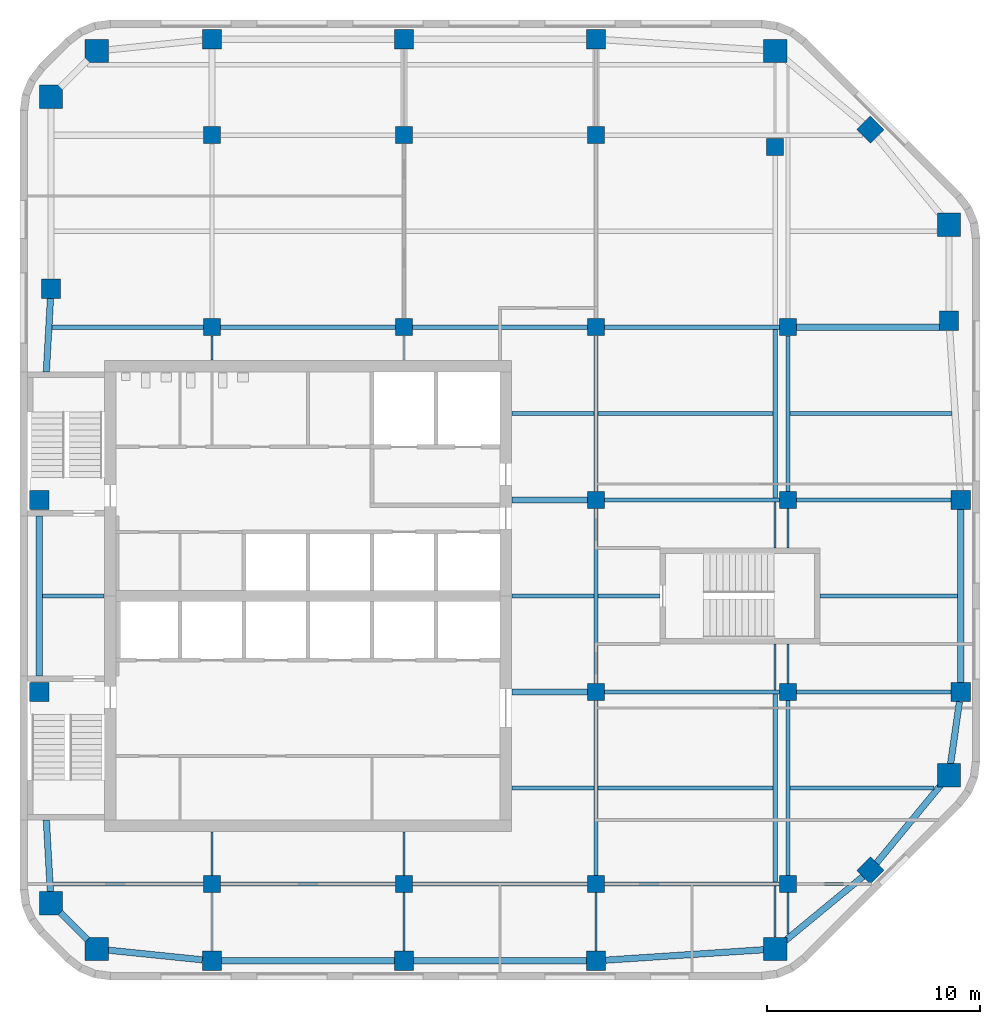
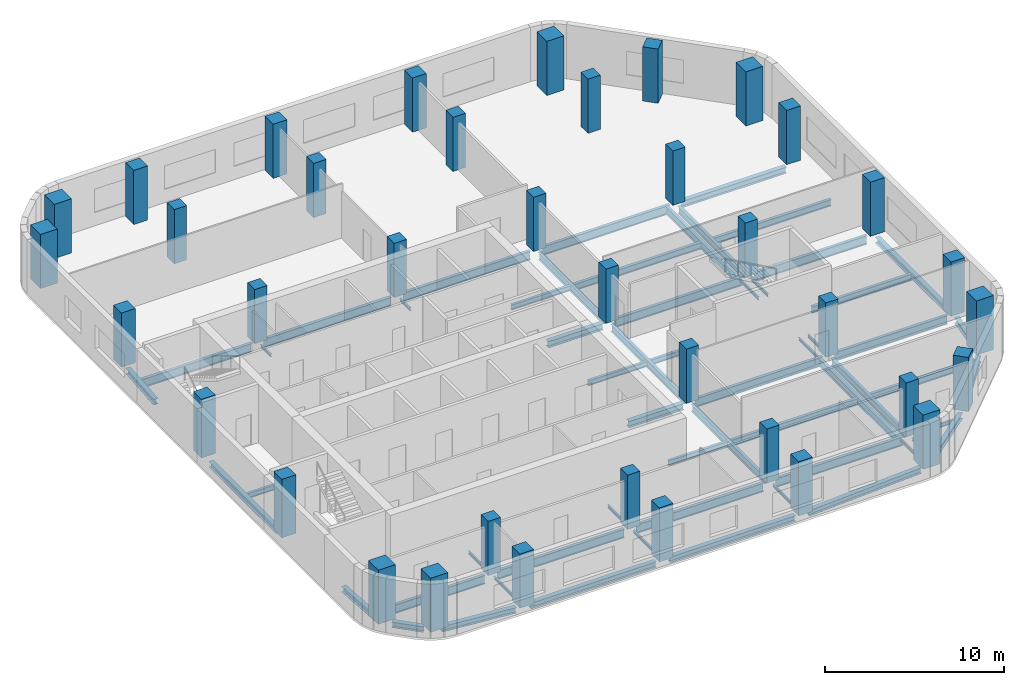
# One storey, part 1 of 8: 58 beams, 38 columns.
"""IFC4 building model written with IfcOpenShell, lengths in metres."""

from ifc_helpers import new_model, si_unit, direction, frame, origin, origin_2d, place, context, subcontext, project, spatial, rectangle, i_section, extrude, material, material_profile, profile_set, type_object, element, save


model = new_model("IFC4")

# Units and contexts
model_context = context("Model", 3, precision=1e-05, world=origin(), true_north=direction((0.0, 1.0)))
body_context = subcontext(model_context, "Body", "Model", "MODEL_VIEW")
ifc_project = project(units=[si_unit("LENGTHUNIT", "METRE"), si_unit("AREAUNIT", "SQUARE_METRE"), si_unit("VOLUMEUNIT", "CUBIC_METRE"), si_unit("PLANEANGLEUNIT", "RADIAN"), si_unit("MASSUNIT", "GRAM", prefix="KILO")], contexts=[model_context])

# Site, building, storey
site_placement = place(None, origin())
site = spatial("IfcSite", under=ifc_project, at=site_placement, CompositionType="ELEMENT")
building_placement = place(site_placement, origin())
building = spatial("IfcBuilding", under=site, at=building_placement, Name="Cinnabar Reach Civic Tower", CompositionType="ELEMENT")
storey_placement = place(building_placement, frame((0.0, 0.0, 238.0)))
storey = spatial("IfcBuildingStorey", under=building, at=storey_placement, Name="L57", CompositionType="ELEMENT", Elevation=238.0)

# Columns
ifc_material_1 = material(Name="Concrete C80", Category="concrete")
ifc_material_profile_1 = material_profile(ifc_material_1, rectangle(XDim=1.1, YDim=1.1, at=origin_2d()), Name="RC1100")
ifc_profile_set_1 = profile_set([ifc_material_profile_1], Name="Concrete C80")
column_type_1 = type_object("IfcColumnType", Name="RC1100 column R 240", PredefinedType="COLUMN", material=ifc_profile_set_1)
for number, where, z_axis, x_axis, name in (
    (1, (3.6019, 14.9531, 0.0), (0.0, 0.0, 1.0), (1.0, 0.0, 0.0), "Column T1-Z4-CC0"),
    (2, (35.3981, 14.9531, 0.0), (0.0, 0.0, 1.0), (1.0, 0.0, 0.0), "Column T1-Z4-CC1"),
    (3, (43.5469, 23.1019, 0.0), (0.0, 0.0, 1.0), (1.0, 0.0, 0.0), "Column T1-Z4-CC2"),
    (4, (43.5469, 48.8981, 0.0), (0.0, 0.0, 1.0), (1.0, 0.0, 0.0), "Column T1-Z4-CC3"),
    (5, (35.3981, 57.0469, 0.0), (0.0, 0.0, 1.0), (1.0, 0.0, 0.0), "Column T1-Z4-CC4"),
    (6, (3.6019, 57.0469, 0.0), (0.0, 0.0, 1.0), (1.0, 0.0, 0.0), "Column T1-Z4-CC5"),
    (7, (1.4531, 54.8981, 0.0), (0.0, 0.0, 1.0), (1.0, 0.0, 0.0), "Column T1-Z4-CC6"),
    (8, (1.4531, 17.1019, 0.0), (0.0, 0.0, 1.0), (1.0, 0.0, 0.0), "Column T1-Z4-CC7"),
):
    element("IfcColumn", number, at=place(storey_placement, frame(where, z_axis=z_axis, x_axis=x_axis)), inside=storey, type_object=column_type_1, Name=name, PredefinedType="COLUMN", context=body_context, shape_type="SweptSolid", body=[
        extrude(rectangle(XDim=1.1, YDim=1.1, at=origin_2d()), origin(), (0.0, 0.0, 1.0), 3.7),
    ])
ifc_material_2 = material(Name="Concrete C60", Category="concrete")
ifc_material_profile_2 = material_profile(ifc_material_2, rectangle(XDim=0.8, YDim=0.8, at=origin_2d()), Name="RC800")
ifc_profile_set_2 = profile_set([ifc_material_profile_2], Name="Concrete C60")
column_type_2 = type_object("IfcColumnType", Name="RC800 column R 240", PredefinedType="COLUMN", material=ifc_profile_set_2)
for number, where, z_axis, x_axis, name in (
    (9, (9.0, 18.0, 0.0), (0.0, 0.0, 1.0), (1.0, 0.0, 0.0), "Column T1-Z4-I9_18"),
    (10, (9.0, 44.1, 0.0), (0.0, 0.0, 1.0), (1.0, 0.0, 0.0), "Column T1-Z4-I9_45"),
    (11, (9.0, 53.1, 0.0), (0.0, 0.0, 1.0), (1.0, 0.0, 0.0), "Column T1-Z4-I9_54"),
    (12, (18.0, 18.0, 0.0), (0.0, 0.0, 1.0), (1.0, 0.0, 0.0), "Column T1-Z4-I18_18"),
    (13, (18.0, 44.1, 0.0), (0.0, 0.0, 1.0), (1.0, 0.0, 0.0), "Column T1-Z4-I18_45"),
    (14, (18.0, 53.1, 0.0), (0.0, 0.0, 1.0), (1.0, 0.0, 0.0), "Column T1-Z4-I18_54"),
    (15, (27.0, 18.0, 0.0), (0.0, 0.0, 1.0), (1.0, 0.0, 0.0), "Column T1-Z4-I27_18"),
    (16, (27.0, 27.0, 0.0), (0.0, 0.0, 1.0), (1.0, 0.0, 0.0), "Column T1-Z4-I27_27"),
    (17, (27.0, 36.0, 0.0), (0.0, 0.0, 1.0), (1.0, 0.0, 0.0), "Column T1-Z4-I27_36"),
    (18, (27.0, 44.1, 0.0), (0.0, 0.0, 1.0), (1.0, 0.0, 0.0), "Column T1-Z4-I27_45"),
    (19, (27.0, 53.1, 0.0), (0.0, 0.0, 1.0), (1.0, 0.0, 0.0), "Column T1-Z4-I27_54"),
    (20, (36.0, 18.0, 0.0), (0.0, 0.0, 1.0), (1.0, 0.0, 0.0), "Column T1-Z4-I36_18"),
    (21, (36.0, 27.0, 0.0), (0.0, 0.0, 1.0), (1.0, 0.0, 0.0), "Column T1-Z4-I36_27"),
    (22, (36.0, 36.0, 0.0), (0.0, 0.0, 1.0), (1.0, 0.0, 0.0), "Column T1-Z4-I36_36"),
    (23, (36.0, 44.1, 0.0), (0.0, 0.0, 1.0), (1.0, 0.0, 0.0), "Column T1-Z4-I36_45"),
    (24, (35.3981, 52.5469, 0.0), (0.0, 0.0, 1.0), (1.0, 0.0, 0.0), "Column T1-Z4-I36_54"),
):
    element("IfcColumn", number, at=place(storey_placement, frame(where, z_axis=z_axis, x_axis=x_axis)), inside=storey, type_object=column_type_2, Name=name, PredefinedType="COLUMN", context=body_context, shape_type="SweptSolid", body=[
        extrude(rectangle(XDim=0.8, YDim=0.8, at=origin_2d()), origin(), (0.0, 0.0, 1.0), 3.7),
    ])
ifc_material_3 = material(Name="Concrete C70", Category="concrete")
ifc_material_profile_3 = material_profile(ifc_material_3, rectangle(XDim=0.9, YDim=0.9, at=origin_2d()), Name="RC900")
ifc_profile_set_3 = profile_set([ifc_material_profile_3], Name="Concrete C70")
column_type_3 = type_object("IfcColumnType", Name="RC900 column R 240", PredefinedType="COLUMN", material=ifc_profile_set_3)
for number, where, z_axis, x_axis, name in (
    (25, (9.0, 14.4, 0.0), (0.0, 0.0, 1.0), (1.0, 0.0, 0.0), "Column T1-Z4-F0-1"),
    (26, (18.0, 14.4, 0.0), (0.0, 0.0, 1.0), (1.0, 0.0, 0.0), "Column T1-Z4-F0-2"),
    (27, (27.0, 14.4, 0.0), (0.0, 0.0, 1.0), (1.0, 0.0, 0.0), "Column T1-Z4-F0-3"),
    (28, (39.8636, 18.6364, 0.0), (0.0, 0.0, 1.0), (0.707106781187, 0.707106781187, 0.0), "Column T1-Z4-F1-M"),
    (29, (44.1, 27.0, 0.0), (0.0, 0.0, 1.0), (1.0, 0.0, 0.0), "Column T1-Z4-F2-3"),
    (30, (44.1, 36.0, 0.0), (0.0, 0.0, 1.0), (1.0, 0.0, 0.0), "Column T1-Z4-F2-4"),
    (31, (43.5469, 44.3981, 0.0), (0.0, 0.0, 1.0), (1.0, 0.0, 0.0), "Column T1-Z4-F2-5"),
    (32, (39.8636, 53.3636, 0.0), (0.0, 0.0, 1.0), (0.707106781187, 0.707106781187, 0.0), "Column T1-Z4-F3-M"),
    (33, (9.0, 57.6, 0.0), (0.0, 0.0, 1.0), (1.0, 0.0, 0.0), "Column T1-Z4-F4-1"),
    (34, (18.0, 57.6, 0.0), (0.0, 0.0, 1.0), (1.0, 0.0, 0.0), "Column T1-Z4-F4-2"),
    (35, (27.0, 57.6, 0.0), (0.0, 0.0, 1.0), (1.0, 0.0, 0.0), "Column T1-Z4-F4-3"),
):
    element("IfcColumn", number, at=place(storey_placement, frame(where, z_axis=z_axis, x_axis=x_axis)), inside=storey, type_object=column_type_3, Name=name, PredefinedType="COLUMN", context=body_context, shape_type="SweptSolid", body=[
        extrude(rectangle(XDim=0.9, YDim=0.9, at=origin_2d()), origin(), (0.0, 0.0, 1.0), 3.7),
    ])
for number, where, z_axis, x_axis, name in (
    (36, (0.9, 27.0, 0.0), (0.0, 0.0, 1.0), (1.0, 0.0, 0.0), "Column T1-Z4-F6-3"),
    (37, (0.9, 36.0, 0.0), (0.0, 0.0, 1.0), (1.0, 0.0, 0.0), "Column T1-Z4-F6-4"),
):
    element("IfcColumn", number, at=place(storey_placement, frame(where, z_axis=z_axis, x_axis=x_axis)), inside=storey, type_object=column_type_3, Name=name, PredefinedType="COLUMN", context=body_context, shape_type="SweptSolid", body=[
        extrude(rectangle(XDim=0.9, YDim=0.9, at=origin_2d()), origin(), (0.0, 0.0, 1.0), 4.0),
    ])
column_placement = place(storey_placement, frame((1.4531, 45.8981, 0.0), z_axis=(0.0, 0.0, 1.0), x_axis=(1.0, 0.0, 0.0)))
element("IfcColumn", 38, at=column_placement, inside=storey, type_object=column_type_3, Name="Column T1-Z4-F6-5", PredefinedType="COLUMN", context=body_context, shape_type="SweptSolid", body=[
    extrude(rectangle(XDim=0.9, YDim=0.9, at=origin_2d()), origin(), (0.0, 0.0, 1.0), 3.7),
])

# Beams
ifc_material_4 = material(Name="Steel Q355B", Category="steel")
ifc_material_profile_4 = material_profile(ifc_material_4, i_section(OverallWidth=0.3, OverallDepth=0.39, WebThickness=0.01, FlangeThickness=0.016, FilletRadius=0.013, at=origin_2d()), Name="HM390x300x10x16")
ifc_profile_set_4 = profile_set([ifc_material_profile_4], Name="Steel Q355B")
beam_type_1 = type_object("IfcBeamType", Name="HM390x300x10x16 beam R 180", PredefinedType="BEAM", material=ifc_profile_set_4)
beam_1_placement = place(storey_placement, frame((4.0339, 14.9088, -0.345), z_axis=(0.994792272495, -0.101923179821, 0.0), x_axis=(0.101923179821, 0.994792272495, 0.0)))
element("IfcBeam", 39, at=beam_1_placement, inside=storey, type_object=beam_type_1, Name="Edge beam T1 L57 1", PredefinedType="BEAM", context=body_context, shape_type="SweptSolid", body=[
    extrude(i_section(OverallWidth=0.3, OverallDepth=0.39, WebThickness=0.01, FlangeThickness=0.016, FilletRadius=0.013, at=origin_2d()), origin(), (0.0, 0.0, 1.0), 4.5377),
])
for number, where, z_axis, x_axis, name in (
    (40, (9.452, 14.4, -0.345), (1.0, 0.0, 0.0), (0.0, 1.0, 0.0), "Edge beam T1 L57 2"),
    (41, (18.452, 14.4, -0.345), (1.0, 0.0, 0.0), (0.0, 1.0, 0.0), "Edge beam T1 L57 3"),
):
    element("IfcBeam", number, at=place(storey_placement, frame(where, z_axis=z_axis, x_axis=x_axis)), inside=storey, type_object=beam_type_1, Name=name, PredefinedType="BEAM", context=body_context, shape_type="SweptSolid", body=[
        extrude(i_section(OverallWidth=0.3, OverallDepth=0.39, WebThickness=0.01, FlangeThickness=0.016, FilletRadius=0.013, at=origin_2d()), origin(), (0.0, 0.0, 1.0), 8.096),
    ])
beam_2_placement = place(storey_placement, frame((27.452, 14.4298, -0.345), z_axis=(0.99783894477, 0.065707231721, 0.0), x_axis=(-0.065707231721, 0.99783894477, 0.0)))
element("IfcBeam", 42, at=beam_2_placement, inside=storey, type_object=beam_type_1, Name="Edge beam T1 L57 4", PredefinedType="BEAM", context=body_context, shape_type="SweptSolid", body=[
    extrude(i_section(OverallWidth=0.3, OverallDepth=0.39, WebThickness=0.01, FlangeThickness=0.016, FilletRadius=0.013, at=origin_2d()), origin(), (0.0, 0.0, 1.0), 7.5304),
])
for number, where, z_axis, x_axis, name in (
    (43, (35.8301, 15.3094, -0.345), (0.771434448755, 0.63630880182, 0.0), (-0.63630880182, 0.771434448755, 0.0), "Edge beam T1 L57 5"),
    (44, (40.1142, 18.9402, -0.345), (0.63630880182, 0.771434448755, 0.0), (-0.771434448755, 0.63630880182, 0.0), "Edge beam T1 L57 6"),
):
    element("IfcBeam", number, at=place(storey_placement, frame(where, z_axis=z_axis, x_axis=x_axis)), inside=storey, type_object=beam_type_1, Name=name, PredefinedType="BEAM", context=body_context, shape_type="SweptSolid", body=[
        extrude(i_section(OverallWidth=0.3, OverallDepth=0.39, WebThickness=0.01, FlangeThickness=0.016, FilletRadius=0.013, at=origin_2d()), origin(), (0.0, 0.0, 1.0), 4.8348),
    ])
beam_3_placement = place(storey_placement, frame((43.6082, 23.5339, -0.345), z_axis=(0.140492342965, 0.990081765092, 0.0), x_axis=(-0.990081765092, 0.140492342965, 0.0)))
element("IfcBeam", 45, at=beam_3_placement, inside=storey, type_object=beam_type_1, Name="Edge beam T1 L57 7", PredefinedType="BEAM", context=body_context, shape_type="SweptSolid", body=[
    extrude(i_section(OverallWidth=0.3, OverallDepth=0.39, WebThickness=0.01, FlangeThickness=0.016, FilletRadius=0.013, at=origin_2d()), origin(), (0.0, 0.0, 1.0), 3.0443),
])
beam_4_placement = place(storey_placement, frame((44.1, 27.452, -0.345), z_axis=(0.0, 1.0, 0.0), x_axis=(-1.0, 0.0, 0.0)))
element("IfcBeam", 46, at=beam_4_placement, inside=storey, type_object=beam_type_1, Name="Edge beam T1 L57 8", PredefinedType="BEAM", context=body_context, shape_type="SweptSolid", body=[
    extrude(i_section(OverallWidth=0.3, OverallDepth=0.39, WebThickness=0.01, FlangeThickness=0.016, FilletRadius=0.013, at=origin_2d()), origin(), (0.0, 0.0, 1.0), 8.096),
])
beam_5_placement = place(storey_placement, frame((1.4278, 45.4461, -0.345), z_axis=(-0.0557766862, -0.998443268932, 0.0), x_axis=(0.998443268932, -0.0557766862, 0.0)))
element("IfcBeam", 47, at=beam_5_placement, inside=storey, type_object=beam_type_1, Name="Edge beam T1 L57 19", PredefinedType="BEAM", context=body_context, shape_type="SweptSolid", body=[
    extrude(i_section(OverallWidth=0.3, OverallDepth=0.39, WebThickness=0.01, FlangeThickness=0.016, FilletRadius=0.013, at=origin_2d()), origin(), (0.0, 0.0, 1.0), 3.4495),
])
beam_6_placement = place(storey_placement, frame((0.9, 35.248, -0.345), z_axis=(0.0, -1.0, 0.0), x_axis=(1.0, 0.0, 0.0)))
element("IfcBeam", 48, at=beam_6_placement, inside=storey, type_object=beam_type_1, Name="Edge beam T1 L57 20", PredefinedType="BEAM", context=body_context, shape_type="SweptSolid", body=[
    extrude(i_section(OverallWidth=0.3, OverallDepth=0.39, WebThickness=0.01, FlangeThickness=0.016, FilletRadius=0.013, at=origin_2d()), origin(), (0.0, 0.0, 1.0), 7.496),
])
beam_7_placement = place(storey_placement, frame((1.2354, 20.998, -0.345), z_axis=(0.05580045603, -0.998441940779, 0.0), x_axis=(0.998441940779, 0.05580045603, 0.0)))
element("IfcBeam", 49, at=beam_7_placement, inside=storey, type_object=beam_type_1, Name="Edge beam T1 L57 21", PredefinedType="BEAM", context=body_context, shape_type="SweptSolid", body=[
    extrude(i_section(OverallWidth=0.3, OverallDepth=0.39, WebThickness=0.01, FlangeThickness=0.016, FilletRadius=0.013, at=origin_2d()), origin(), (0.0, 0.0, 1.0), 3.4695),
])
beam_8_placement = place(storey_placement, frame((1.8851, 16.6699, -0.345), z_axis=(0.707106781187, -0.707106781187, 0.0), x_axis=(0.707106781187, 0.707106781187, 0.0)))
element("IfcBeam", 50, at=beam_8_placement, inside=storey, type_object=beam_type_1, Name="Edge beam T1 L57 22", PredefinedType="BEAM", context=body_context, shape_type="SweptSolid", body=[
    extrude(i_section(OverallWidth=0.3, OverallDepth=0.39, WebThickness=0.01, FlangeThickness=0.016, FilletRadius=0.013, at=origin_2d()), origin(), (0.0, 0.0, 1.0), 1.817),
])
ifc_material_profile_5 = material_profile(ifc_material_4, i_section(OverallWidth=0.3, OverallDepth=0.44, WebThickness=0.011, FlangeThickness=0.018, FilletRadius=0.016, at=origin_2d()), Name="HM440x300x11x18")
ifc_profile_set_5 = profile_set([ifc_material_profile_5], Name="Steel Q355B")
beam_type_2 = type_object("IfcBeamType", Name="HM440x300x11x18 beam R 180", PredefinedType="BEAM", material=ifc_profile_set_5)
for number, where, z_axis, x_axis, name in (
    (51, (23.052, 27.0, -0.37), (1.0, 0.0, 0.0), (0.0, 1.0, 0.0), "Girder T1 L57 6"),
    (52, (23.052, 36.0, -0.37), (1.0, 0.0, 0.0), (0.0, 1.0, 0.0), "Girder T1 L57 9"),
):
    element("IfcBeam", number, at=place(storey_placement, frame(where, z_axis=z_axis, x_axis=x_axis)), inside=storey, type_object=beam_type_2, Name=name, PredefinedType="BEAM", context=body_context, shape_type="SweptSolid", body=[
        extrude(i_section(OverallWidth=0.3, OverallDepth=0.44, WebThickness=0.011, FlangeThickness=0.018, FilletRadius=0.016, at=origin_2d()), origin(), (0.0, 0.0, 1.0), 3.546),
    ])
beam_9_placement = place(storey_placement, frame((36.402, 44.1, -0.37), z_axis=(1.0, 0.0, 0.0), x_axis=(0.0, 1.0, 0.0)))
element("IfcBeam", 53, at=beam_9_placement, inside=storey, type_object=beam_type_2, Name="Girder T1 L57 16", PredefinedType="BEAM", context=body_context, shape_type="SweptSolid", body=[
    extrude(i_section(OverallWidth=0.3, OverallDepth=0.44, WebThickness=0.011, FlangeThickness=0.018, FilletRadius=0.016, at=origin_2d()), origin(), (0.0, 0.0, 1.0), 6.6929),
])
ifc_material_profile_6 = material_profile(ifc_material_4, i_section(OverallWidth=0.099, OverallDepth=0.198, WebThickness=0.0045, FlangeThickness=0.007, FilletRadius=0.013, at=origin_2d()), Name="HN200x100x5.5x8")
ifc_profile_set_6 = profile_set([ifc_material_profile_6], Name="Steel Q355B")
beam_type_3 = type_object("IfcBeamType", Name="HN200x100x5.5x8 beam R 180", PredefinedType="BEAM", material=ifc_profile_set_6)
beam_10_placement = place(storey_placement, frame((9.0, 14.852, -0.249), z_axis=(0.0, 1.0, 0.0), x_axis=(-1.0, 0.0, 0.0)))
element("IfcBeam", 54, at=beam_10_placement, inside=storey, type_object=beam_type_3, Name="Girder T1 L57 1", PredefinedType="BEAM", context=body_context, shape_type="SweptSolid", body=[
    extrude(i_section(OverallWidth=0.099, OverallDepth=0.198, WebThickness=0.0045, FlangeThickness=0.007, FilletRadius=0.013, at=origin_2d()), origin(), (0.0, 0.0, 1.0), 2.746),
])
beam_11_placement = place(storey_placement, frame((9.0, 18.402, -0.249), z_axis=(0.0, 1.0, 0.0), x_axis=(-1.0, 0.0, 0.0)))
element("IfcBeam", 55, at=beam_11_placement, inside=storey, type_object=beam_type_3, Name="Girder T1 L57 2", PredefinedType="BEAM", context=body_context, shape_type="SweptSolid", body=[
    extrude(i_section(OverallWidth=0.099, OverallDepth=0.198, WebThickness=0.0045, FlangeThickness=0.007, FilletRadius=0.013, at=origin_2d()), origin(), (0.0, 0.0, 1.0), 2.046),
])
beam_12_placement = place(storey_placement, frame((9.0, 42.552, -0.249), z_axis=(0.0, 1.0, 0.0), x_axis=(-1.0, 0.0, 0.0)))
element("IfcBeam", 56, at=beam_12_placement, inside=storey, type_object=beam_type_3, Name="Girder T1 L57 3", PredefinedType="BEAM", context=body_context, shape_type="SweptSolid", body=[
    extrude(i_section(OverallWidth=0.099, OverallDepth=0.198, WebThickness=0.0045, FlangeThickness=0.007, FilletRadius=0.013, at=origin_2d()), origin(), (0.0, 0.0, 1.0), 1.146),
])
beam_13_placement = place(storey_placement, frame((18.0, 14.852, -0.249), z_axis=(0.0, 1.0, 0.0), x_axis=(-1.0, 0.0, 0.0)))
element("IfcBeam", 57, at=beam_13_placement, inside=storey, type_object=beam_type_3, Name="Girder T1 L57 6", PredefinedType="BEAM", context=body_context, shape_type="SweptSolid", body=[
    extrude(i_section(OverallWidth=0.099, OverallDepth=0.198, WebThickness=0.0045, FlangeThickness=0.007, FilletRadius=0.013, at=origin_2d()), origin(), (0.0, 0.0, 1.0), 2.746),
])
beam_14_placement = place(storey_placement, frame((18.0, 18.402, -0.249), z_axis=(0.0, 1.0, 0.0), x_axis=(-1.0, 0.0, 0.0)))
element("IfcBeam", 58, at=beam_14_placement, inside=storey, type_object=beam_type_3, Name="Girder T1 L57 7", PredefinedType="BEAM", context=body_context, shape_type="SweptSolid", body=[
    extrude(i_section(OverallWidth=0.099, OverallDepth=0.198, WebThickness=0.0045, FlangeThickness=0.007, FilletRadius=0.013, at=origin_2d()), origin(), (0.0, 0.0, 1.0), 2.046),
])
beam_15_placement = place(storey_placement, frame((18.0, 42.552, -0.249), z_axis=(0.0, 1.0, 0.0), x_axis=(-1.0, 0.0, 0.0)))
element("IfcBeam", 59, at=beam_15_placement, inside=storey, type_object=beam_type_3, Name="Girder T1 L57 8", PredefinedType="BEAM", context=body_context, shape_type="SweptSolid", body=[
    extrude(i_section(OverallWidth=0.099, OverallDepth=0.198, WebThickness=0.0045, FlangeThickness=0.007, FilletRadius=0.013, at=origin_2d()), origin(), (0.0, 0.0, 1.0), 1.146),
])
beam_16_placement = place(storey_placement, frame((27.0, 14.852, -0.249), z_axis=(0.0, 1.0, 0.0), x_axis=(-1.0, 0.0, 0.0)))
element("IfcBeam", 60, at=beam_16_placement, inside=storey, type_object=beam_type_3, Name="Girder T1 L57 11", PredefinedType="BEAM", context=body_context, shape_type="SweptSolid", body=[
    extrude(i_section(OverallWidth=0.099, OverallDepth=0.198, WebThickness=0.0045, FlangeThickness=0.007, FilletRadius=0.013, at=origin_2d()), origin(), (0.0, 0.0, 1.0), 2.746),
])
beam_17_placement = place(storey_placement, frame((35.3981, 15.5051, -0.249), z_axis=(0.0, 1.0, 0.0), x_axis=(-1.0, 0.0, 0.0)))
element("IfcBeam", 61, at=beam_17_placement, inside=storey, type_object=beam_type_3, Name="Girder T1 L57 17", PredefinedType="BEAM", context=body_context, shape_type="SweptSolid", body=[
    extrude(i_section(OverallWidth=0.099, OverallDepth=0.198, WebThickness=0.0045, FlangeThickness=0.007, FilletRadius=0.013, at=origin_2d()), origin(), (0.0, 0.0, 1.0), 2.3934),
])
for number, where, z_axis, x_axis, name in (
    (62, (35.3981, 27.1015, -0.249), (0.0, 1.0, 0.0), (-1.0, 0.0, 0.0), "Girder T1 L57 19"),
    (63, (35.3981, 33.752, -0.249), (0.0, 1.0, 0.0), (-1.0, 0.0, 0.0), "Girder T1 L57 20"),
):
    element("IfcBeam", number, at=place(storey_placement, frame(where, z_axis=z_axis, x_axis=x_axis)), inside=storey, type_object=beam_type_3, Name=name, PredefinedType="BEAM", context=body_context, shape_type="SweptSolid", body=[
        extrude(i_section(OverallWidth=0.099, OverallDepth=0.198, WebThickness=0.0045, FlangeThickness=0.007, FilletRadius=0.013, at=origin_2d()), origin(), (0.0, 0.0, 1.0), 2.1465),
    ])
beam_18_placement = place(storey_placement, frame((36.0, 15.6466, -0.249), z_axis=(0.0, 1.0, 0.0), x_axis=(-1.0, 0.0, 0.0)))
element("IfcBeam", 64, at=beam_18_placement, inside=storey, type_object=beam_type_3, Name="Girder T1 L57 24", PredefinedType="BEAM", context=body_context, shape_type="SweptSolid", body=[
    extrude(i_section(OverallWidth=0.099, OverallDepth=0.198, WebThickness=0.0045, FlangeThickness=0.007, FilletRadius=0.013, at=origin_2d()), origin(), (0.0, 0.0, 1.0), 1.9514),
])
for number, where, z_axis, x_axis, name in (
    (65, (36.0, 27.402, -0.249), (0.0, 1.0, 0.0), (-1.0, 0.0, 0.0), "Girder T1 L57 26"),
    (66, (36.0, 33.752, -0.249), (0.0, 1.0, 0.0), (-1.0, 0.0, 0.0), "Girder T1 L57 27"),
):
    element("IfcBeam", number, at=place(storey_placement, frame(where, z_axis=z_axis, x_axis=x_axis)), inside=storey, type_object=beam_type_3, Name=name, PredefinedType="BEAM", context=body_context, shape_type="SweptSolid", body=[
        extrude(i_section(OverallWidth=0.099, OverallDepth=0.198, WebThickness=0.0045, FlangeThickness=0.007, FilletRadius=0.013, at=origin_2d()), origin(), (0.0, 0.0, 1.0), 1.846),
    ])
ifc_material_profile_7 = material_profile(ifc_material_4, i_section(OverallWidth=0.124, OverallDepth=0.248, WebThickness=0.005, FlangeThickness=0.008, FilletRadius=0.013, at=origin_2d()), Name="HN250x125x6x9")
ifc_profile_set_7 = profile_set([ifc_material_profile_7], Name="Steel Q355B")
beam_type_4 = type_object("IfcBeamType", Name="HN250x125x6x9 beam R 180", PredefinedType="BEAM", material=ifc_profile_set_7)
beam_19_placement = place(storey_placement, frame((36.402, 18.0, -0.274), z_axis=(1.0, 0.0, 0.0), x_axis=(0.0, 1.0, 0.0)))
element("IfcBeam", 67, at=beam_19_placement, inside=storey, type_object=beam_type_4, Name="Girder T1 L57 5", PredefinedType="BEAM", context=body_context, shape_type="SweptSolid", body=[
    extrude(i_section(OverallWidth=0.124, OverallDepth=0.248, WebThickness=0.005, FlangeThickness=0.008, FilletRadius=0.013, at=origin_2d()), origin(), (0.0, 0.0, 1.0), 2.4512),
])
ifc_material_profile_8 = material_profile(ifc_material_4, i_section(OverallWidth=0.174, OverallDepth=0.346, WebThickness=0.006, FlangeThickness=0.009, FilletRadius=0.013, at=origin_2d()), Name="HN346x174x6x9")
ifc_profile_set_8 = profile_set([ifc_material_profile_8], Name="Steel Q355B")
beam_type_5 = type_object("IfcBeamType", Name="HN346x174x6x9 beam R 180", PredefinedType="BEAM", material=ifc_profile_set_8)
beam_20_placement = place(storey_placement, frame((23.052, 22.5, -0.323), z_axis=(1.0, 0.0, 0.0), x_axis=(0.0, 1.0, 0.0)))
element("IfcBeam", 68, at=beam_20_placement, inside=storey, type_object=beam_type_5, Name="Secondary beam T1 L57 1", PredefinedType="BEAM", context=body_context, shape_type="SweptSolid", body=[
    extrude(i_section(OverallWidth=0.174, OverallDepth=0.346, WebThickness=0.006, FlangeThickness=0.009, FilletRadius=0.013, at=origin_2d()), origin(), (0.0, 0.0, 1.0), 3.846),
])
beam_21_placement = place(storey_placement, frame((1.052, 31.5, -0.323), z_axis=(1.0, 0.0, 0.0), x_axis=(0.0, 1.0, 0.0)))
element("IfcBeam", 69, at=beam_21_placement, inside=storey, type_object=beam_type_5, Name="Secondary beam T1 L57 4", PredefinedType="BEAM", context=body_context, shape_type="SweptSolid", body=[
    extrude(i_section(OverallWidth=0.174, OverallDepth=0.346, WebThickness=0.006, FlangeThickness=0.009, FilletRadius=0.013, at=origin_2d()), origin(), (0.0, 0.0, 1.0), 2.896),
])
beam_22_placement = place(storey_placement, frame((23.052, 31.5, -0.323), z_axis=(1.0, 0.0, 0.0), x_axis=(0.0, 1.0, 0.0)))
element("IfcBeam", 70, at=beam_22_placement, inside=storey, type_object=beam_type_5, Name="Secondary beam T1 L57 5", PredefinedType="BEAM", context=body_context, shape_type="SweptSolid", body=[
    extrude(i_section(OverallWidth=0.174, OverallDepth=0.346, WebThickness=0.006, FlangeThickness=0.009, FilletRadius=0.013, at=origin_2d()), origin(), (0.0, 0.0, 1.0), 3.846),
])
beam_23_placement = place(storey_placement, frame((27.102, 31.5, -0.323), z_axis=(1.0, 0.0, 0.0), x_axis=(0.0, 1.0, 0.0)))
element("IfcBeam", 71, at=beam_23_placement, inside=storey, type_object=beam_type_5, Name="Secondary beam T1 L57 6", PredefinedType="BEAM", context=body_context, shape_type="SweptSolid", body=[
    extrude(i_section(OverallWidth=0.174, OverallDepth=0.346, WebThickness=0.006, FlangeThickness=0.009, FilletRadius=0.013, at=origin_2d()), origin(), (0.0, 0.0, 1.0), 2.896),
])
beam_24_placement = place(storey_placement, frame((23.052, 40.05, -0.323), z_axis=(1.0, 0.0, 0.0), x_axis=(0.0, 1.0, 0.0)))
element("IfcBeam", 72, at=beam_24_placement, inside=storey, type_object=beam_type_5, Name="Secondary beam T1 L57 8", PredefinedType="BEAM", context=body_context, shape_type="SweptSolid", body=[
    extrude(i_section(OverallWidth=0.174, OverallDepth=0.346, WebThickness=0.006, FlangeThickness=0.009, FilletRadius=0.013, at=origin_2d()), origin(), (0.0, 0.0, 1.0), 3.846),
])
ifc_material_profile_9 = material_profile(ifc_material_4, i_section(OverallWidth=0.199, OverallDepth=0.446, WebThickness=0.008, FlangeThickness=0.012, FilletRadius=0.016, at=origin_2d()), Name="HN446x199x8x12")
ifc_profile_set_9 = profile_set([ifc_material_profile_9], Name="Steel Q355B")
beam_type_6 = type_object("IfcBeamType", Name="HN446x199x8x12 beam R 180", PredefinedType="BEAM", material=ifc_profile_set_9)
beam_25_placement = place(storey_placement, frame((27.102, 22.5, -0.373), z_axis=(1.0, 0.0, 0.0), x_axis=(0.0, 1.0, 0.0)))
element("IfcBeam", 73, at=beam_25_placement, inside=storey, type_object=beam_type_6, Name="Secondary beam T1 L57 2", PredefinedType="BEAM", context=body_context, shape_type="SweptSolid", body=[
    extrude(i_section(OverallWidth=0.199, OverallDepth=0.446, WebThickness=0.008, FlangeThickness=0.012, FilletRadius=0.016, at=origin_2d()), origin(), (0.0, 0.0, 1.0), 8.1941),
])
beam_26_placement = place(storey_placement, frame((36.102, 22.5, -0.373), z_axis=(1.0, 0.0, 0.0), x_axis=(0.0, 1.0, 0.0)))
element("IfcBeam", 74, at=beam_26_placement, inside=storey, type_object=beam_type_6, Name="Secondary beam T1 L57 3", PredefinedType="BEAM", context=body_context, shape_type="SweptSolid", body=[
    extrude(i_section(OverallWidth=0.199, OverallDepth=0.446, WebThickness=0.008, FlangeThickness=0.012, FilletRadius=0.016, at=origin_2d()), origin(), (0.0, 0.0, 1.0), 6.7514),
])
beam_27_placement = place(storey_placement, frame((37.502, 31.5, -0.373), z_axis=(1.0, 0.0, 0.0), x_axis=(0.0, 1.0, 0.0)))
element("IfcBeam", 75, at=beam_27_placement, inside=storey, type_object=beam_type_6, Name="Secondary beam T1 L57 7", PredefinedType="BEAM", context=body_context, shape_type="SweptSolid", body=[
    extrude(i_section(OverallWidth=0.199, OverallDepth=0.446, WebThickness=0.008, FlangeThickness=0.012, FilletRadius=0.016, at=origin_2d()), origin(), (0.0, 0.0, 1.0), 6.446),
])
beam_28_placement = place(storey_placement, frame((27.102, 40.05, -0.373), z_axis=(1.0, 0.0, 0.0), x_axis=(0.0, 1.0, 0.0)))
element("IfcBeam", 76, at=beam_28_placement, inside=storey, type_object=beam_type_6, Name="Secondary beam T1 L57 9", PredefinedType="BEAM", context=body_context, shape_type="SweptSolid", body=[
    extrude(i_section(OverallWidth=0.199, OverallDepth=0.446, WebThickness=0.008, FlangeThickness=0.012, FilletRadius=0.016, at=origin_2d()), origin(), (0.0, 0.0, 1.0), 8.1941),
])
beam_29_placement = place(storey_placement, frame((36.102, 40.05, -0.373), z_axis=(1.0, 0.0, 0.0), x_axis=(0.0, 1.0, 0.0)))
element("IfcBeam", 77, at=beam_29_placement, inside=storey, type_object=beam_type_6, Name="Secondary beam T1 L57 10", PredefinedType="BEAM", context=body_context, shape_type="SweptSolid", body=[
    extrude(i_section(OverallWidth=0.199, OverallDepth=0.446, WebThickness=0.008, FlangeThickness=0.012, FilletRadius=0.016, at=origin_2d()), origin(), (0.0, 0.0, 1.0), 7.5789),
])
ifc_material_profile_10 = material_profile(ifc_material_4, i_section(OverallWidth=0.2, OverallDepth=0.5, WebThickness=0.01, FlangeThickness=0.016, FilletRadius=0.016, at=origin_2d()), Name="HN500x200x10x16")
ifc_profile_set_10 = profile_set([ifc_material_profile_10], Name="Steel Q355B")
beam_type_7 = type_object("IfcBeamType", Name="HN500x200x10x16 beam R 180", PredefinedType="BEAM", material=ifc_profile_set_10)
for number, where, z_axis, x_axis, name in (
    (78, (27.0, 18.402, -0.4), (0.0, 1.0, 0.0), (-1.0, 0.0, 0.0), "Girder T1 L57 12"),
    (79, (27.0, 27.402, -0.4), (0.0, 1.0, 0.0), (-1.0, 0.0, 0.0), "Girder T1 L57 13"),
):
    element("IfcBeam", number, at=place(storey_placement, frame(where, z_axis=z_axis, x_axis=x_axis)), inside=storey, type_object=beam_type_7, Name=name, PredefinedType="BEAM", context=body_context, shape_type="SweptSolid", body=[
        extrude(i_section(OverallWidth=0.2, OverallDepth=0.5, WebThickness=0.01, FlangeThickness=0.016, FilletRadius=0.016, at=origin_2d()), origin(), (0.0, 0.0, 1.0), 8.196),
    ])
beam_30_placement = place(storey_placement, frame((27.0, 36.402, -0.4), z_axis=(0.0, 1.0, 0.0), x_axis=(-1.0, 0.0, 0.0)))
element("IfcBeam", 80, at=beam_30_placement, inside=storey, type_object=beam_type_7, Name="Girder T1 L57 14", PredefinedType="BEAM", context=body_context, shape_type="SweptSolid", body=[
    extrude(i_section(OverallWidth=0.2, OverallDepth=0.5, WebThickness=0.01, FlangeThickness=0.016, FilletRadius=0.016, at=origin_2d()), origin(), (0.0, 0.0, 1.0), 7.296),
])
beam_31_placement = place(storey_placement, frame((35.3981, 18.1015, -0.4), z_axis=(0.0, 1.0, 0.0), x_axis=(-1.0, 0.0, 0.0)))
element("IfcBeam", 81, at=beam_31_placement, inside=storey, type_object=beam_type_7, Name="Girder T1 L57 18", PredefinedType="BEAM", context=body_context, shape_type="SweptSolid", body=[
    extrude(i_section(OverallWidth=0.2, OverallDepth=0.5, WebThickness=0.01, FlangeThickness=0.016, FilletRadius=0.016, at=origin_2d()), origin(), (0.0, 0.0, 1.0), 8.797),
])
beam_32_placement = place(storey_placement, frame((35.3981, 36.1015, -0.4), z_axis=(0.0, 1.0, 0.0), x_axis=(-1.0, 0.0, 0.0)))
element("IfcBeam", 82, at=beam_32_placement, inside=storey, type_object=beam_type_7, Name="Girder T1 L57 21", PredefinedType="BEAM", context=body_context, shape_type="SweptSolid", body=[
    extrude(i_section(OverallWidth=0.2, OverallDepth=0.5, WebThickness=0.01, FlangeThickness=0.016, FilletRadius=0.016, at=origin_2d()), origin(), (0.0, 0.0, 1.0), 7.897),
])
beam_33_placement = place(storey_placement, frame((36.0, 18.402, -0.4), z_axis=(0.0, 1.0, 0.0), x_axis=(-1.0, 0.0, 0.0)))
element("IfcBeam", 83, at=beam_33_placement, inside=storey, type_object=beam_type_7, Name="Girder T1 L57 25", PredefinedType="BEAM", context=body_context, shape_type="SweptSolid", body=[
    extrude(i_section(OverallWidth=0.2, OverallDepth=0.5, WebThickness=0.01, FlangeThickness=0.016, FilletRadius=0.016, at=origin_2d()), origin(), (0.0, 0.0, 1.0), 8.196),
])
beam_34_placement = place(storey_placement, frame((36.0, 36.402, -0.4), z_axis=(0.0, 1.0, 0.0), x_axis=(-1.0, 0.0, 0.0)))
element("IfcBeam", 84, at=beam_34_placement, inside=storey, type_object=beam_type_7, Name="Girder T1 L57 28", PredefinedType="BEAM", context=body_context, shape_type="SweptSolid", body=[
    extrude(i_section(OverallWidth=0.2, OverallDepth=0.5, WebThickness=0.01, FlangeThickness=0.016, FilletRadius=0.016, at=origin_2d()), origin(), (0.0, 0.0, 1.0), 7.296),
])
ifc_material_profile_11 = material_profile(ifc_material_4, i_section(OverallWidth=0.199, OverallDepth=0.596, WebThickness=0.01, FlangeThickness=0.015, FilletRadius=0.016, at=origin_2d()), Name="HN596x199x10x15")
ifc_profile_set_11 = profile_set([ifc_material_profile_11], Name="Steel Q355B")
beam_type_8 = type_object("IfcBeamType", Name="HN596x199x10x15 beam R 180", PredefinedType="BEAM", material=ifc_profile_set_11)
beam_35_placement = place(storey_placement, frame((1.5552, 18.0, -0.448), z_axis=(1.0, 0.0, 0.0), x_axis=(0.0, 1.0, 0.0)))
element("IfcBeam", 85, at=beam_35_placement, inside=storey, type_object=beam_type_8, Name="Girder T1 L57 1", PredefinedType="BEAM", context=body_context, shape_type="SweptSolid", body=[
    extrude(i_section(OverallWidth=0.199, OverallDepth=0.596, WebThickness=0.01, FlangeThickness=0.015, FilletRadius=0.016, at=origin_2d()), origin(), (0.0, 0.0, 1.0), 7.0428),
])
for number, where, z_axis, x_axis, name in (
    (86, (9.402, 18.0, -0.448), (1.0, 0.0, 0.0), (0.0, 1.0, 0.0), "Girder T1 L57 2"),
    (87, (18.402, 18.0, -0.448), (1.0, 0.0, 0.0), (0.0, 1.0, 0.0), "Girder T1 L57 3"),
    (88, (27.402, 18.0, -0.448), (1.0, 0.0, 0.0), (0.0, 1.0, 0.0), "Girder T1 L57 4"),
    (89, (27.402, 27.0, -0.448), (1.0, 0.0, 0.0), (0.0, 1.0, 0.0), "Girder T1 L57 7"),
):
    element("IfcBeam", number, at=place(storey_placement, frame(where, z_axis=z_axis, x_axis=x_axis)), inside=storey, type_object=beam_type_8, Name=name, PredefinedType="BEAM", context=body_context, shape_type="SweptSolid", body=[
        extrude(i_section(OverallWidth=0.199, OverallDepth=0.596, WebThickness=0.01, FlangeThickness=0.015, FilletRadius=0.016, at=origin_2d()), origin(), (0.0, 0.0, 1.0), 8.196),
    ])
beam_36_placement = place(storey_placement, frame((36.402, 27.0, -0.448), z_axis=(1.0, 0.0, 0.0), x_axis=(0.0, 1.0, 0.0)))
element("IfcBeam", 90, at=beam_36_placement, inside=storey, type_object=beam_type_8, Name="Girder T1 L57 8", PredefinedType="BEAM", context=body_context, shape_type="SweptSolid", body=[
    extrude(i_section(OverallWidth=0.199, OverallDepth=0.596, WebThickness=0.01, FlangeThickness=0.015, FilletRadius=0.016, at=origin_2d()), origin(), (0.0, 0.0, 1.0), 7.246),
])
beam_37_placement = place(storey_placement, frame((27.402, 36.0, -0.448), z_axis=(1.0, 0.0, 0.0), x_axis=(0.0, 1.0, 0.0)))
element("IfcBeam", 91, at=beam_37_placement, inside=storey, type_object=beam_type_8, Name="Girder T1 L57 10", PredefinedType="BEAM", context=body_context, shape_type="SweptSolid", body=[
    extrude(i_section(OverallWidth=0.199, OverallDepth=0.596, WebThickness=0.01, FlangeThickness=0.015, FilletRadius=0.016, at=origin_2d()), origin(), (0.0, 0.0, 1.0), 8.196),
])
beam_38_placement = place(storey_placement, frame((36.402, 36.0, -0.448), z_axis=(1.0, 0.0, 0.0), x_axis=(0.0, 1.0, 0.0)))
element("IfcBeam", 92, at=beam_38_placement, inside=storey, type_object=beam_type_8, Name="Girder T1 L57 11", PredefinedType="BEAM", context=body_context, shape_type="SweptSolid", body=[
    extrude(i_section(OverallWidth=0.199, OverallDepth=0.596, WebThickness=0.01, FlangeThickness=0.015, FilletRadius=0.016, at=origin_2d()), origin(), (0.0, 0.0, 1.0), 7.246),
])
beam_39_placement = place(storey_placement, frame((1.5049, 44.1, -0.448), z_axis=(1.0, 0.0, 0.0), x_axis=(0.0, 1.0, 0.0)))
element("IfcBeam", 93, at=beam_39_placement, inside=storey, type_object=beam_type_8, Name="Girder T1 L57 12", PredefinedType="BEAM", context=body_context, shape_type="SweptSolid", body=[
    extrude(i_section(OverallWidth=0.199, OverallDepth=0.596, WebThickness=0.01, FlangeThickness=0.015, FilletRadius=0.016, at=origin_2d()), origin(), (0.0, 0.0, 1.0), 7.0931),
])
for number, where, z_axis, x_axis, name in (
    (94, (9.402, 44.1, -0.448), (1.0, 0.0, 0.0), (0.0, 1.0, 0.0), "Girder T1 L57 13"),
    (95, (18.402, 44.1, -0.448), (1.0, 0.0, 0.0), (0.0, 1.0, 0.0), "Girder T1 L57 14"),
    (96, (27.402, 44.1, -0.448), (1.0, 0.0, 0.0), (0.0, 1.0, 0.0), "Girder T1 L57 15"),
):
    element("IfcBeam", number, at=place(storey_placement, frame(where, z_axis=z_axis, x_axis=x_axis)), inside=storey, type_object=beam_type_8, Name=name, PredefinedType="BEAM", context=body_context, shape_type="SweptSolid", body=[
        extrude(i_section(OverallWidth=0.199, OverallDepth=0.596, WebThickness=0.01, FlangeThickness=0.015, FilletRadius=0.016, at=origin_2d()), origin(), (0.0, 0.0, 1.0), 8.196),
    ])

save(model, "model.ifc")
